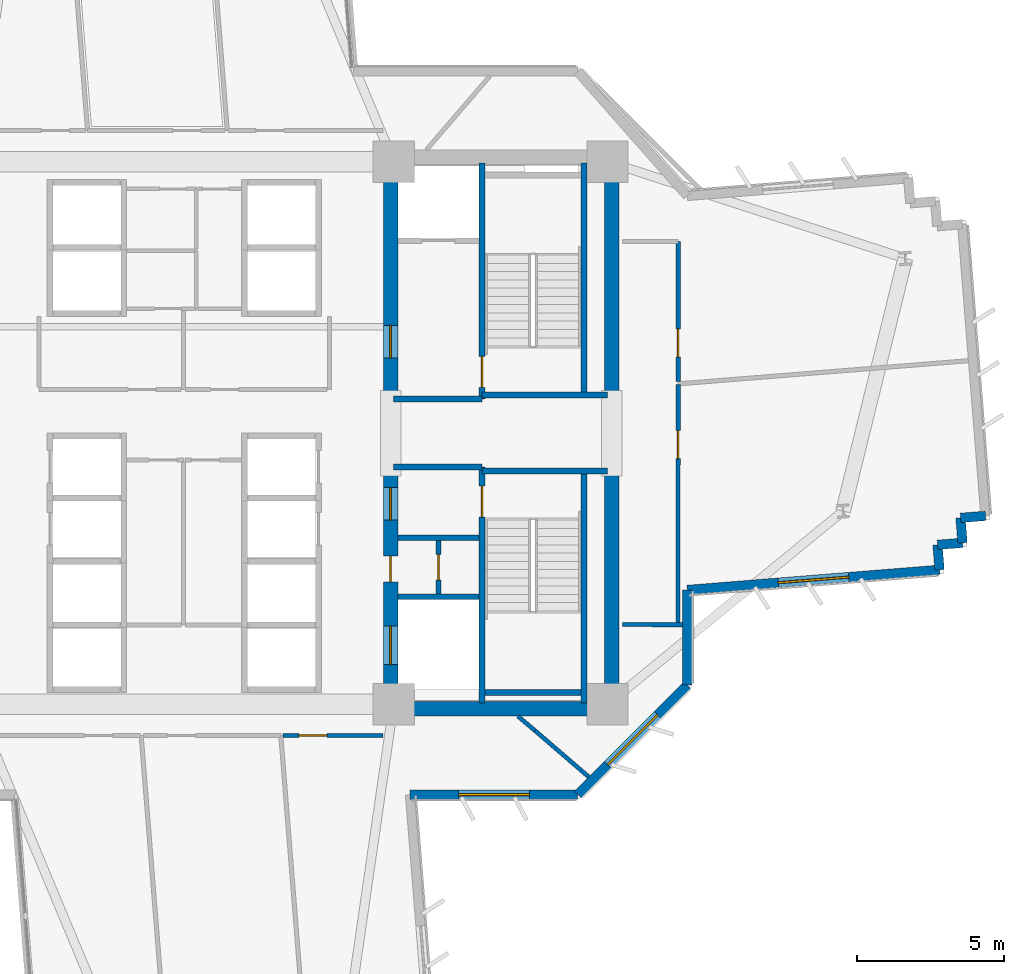
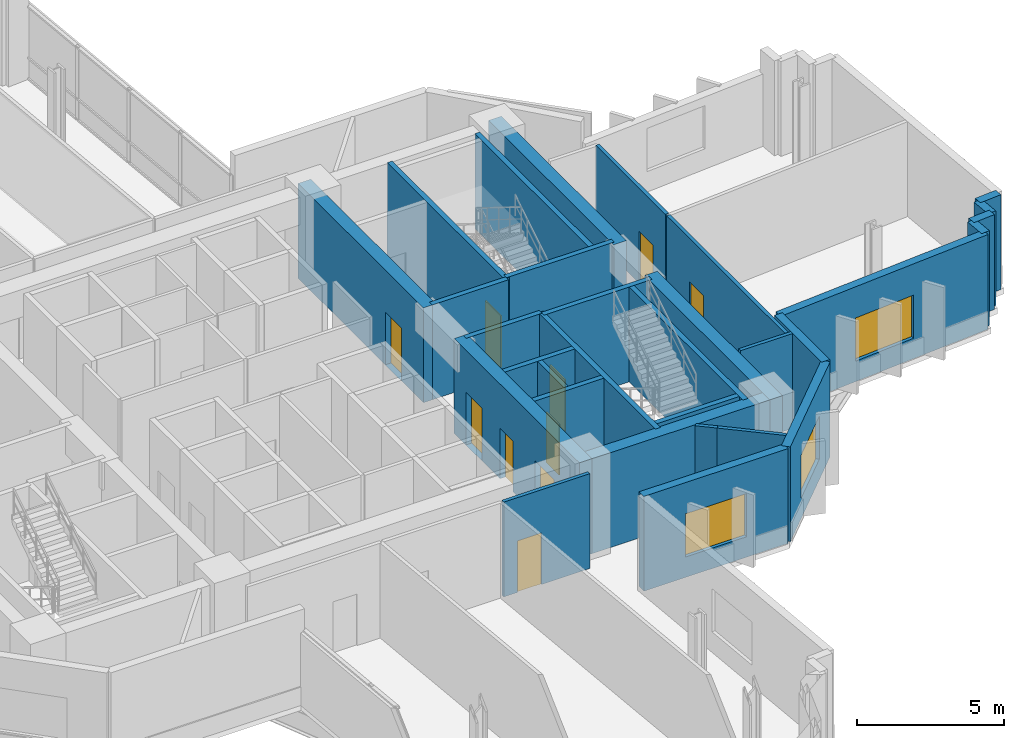
# One storey, part 8 of 15: 31 walls, 10 doors, 3 windows, 13 openings.
"""IFC4 building model written with IfcOpenShell, lengths in metres."""

from ifc_helpers import new_model, si_unit, direction, frame, frame_2d, origin, place, context, subcontext, project, spatial, rectangle, extrude, source, transform, mapped, material, layer, layer_set, type_object, element, fill, save


model = new_model("IFC4")

# Units and contexts
model_context = context("Model", 3, precision=1e-05, world=origin(), true_north=direction((0.0, 1.0)))
body_context = subcontext(model_context, "Body", "Model", "MODEL_VIEW")
ifc_project = project(units=[si_unit("LENGTHUNIT", "METRE"), si_unit("AREAUNIT", "SQUARE_METRE"), si_unit("VOLUMEUNIT", "CUBIC_METRE"), si_unit("PLANEANGLEUNIT", "RADIAN"), si_unit("MASSUNIT", "GRAM", prefix="KILO")], contexts=[model_context])

# Site, building, storey
site_placement = place(None, origin())
site = spatial("IfcSite", under=ifc_project, at=site_placement, CompositionType="ELEMENT")
building_placement = place(site_placement, origin())
building = spatial("IfcBuilding", under=site, at=building_placement, Name="Zahravan Cultural Tower", CompositionType="ELEMENT")
storey_placement = place(building_placement, frame((0.0, 0.0, 83.699951171875)))
storey = spatial("IfcBuildingStorey", under=building, at=storey_placement, Name="L18", CompositionType="ELEMENT", Elevation=83.699951171875)

# Wall, openings, doors
ifc_material_1 = material(Name="Concrete C60/75", Category="concrete")
ifc_layer_1 = layer(ifc_material_1, 0.5)
ifc_layer_set_1 = layer_set([ifc_layer_1], Name="Concrete C60/75")
wall_type_1 = type_object("IfcWallType", Name="CW-SHEAR-500-C60", PredefinedType="SHEAR", material=ifc_layer_set_1)
wall_1_placement = place(storey_placement, frame((43.0, 17.39990234375, 0.0), z_axis=(0.0, 0.0, 1.0), x_axis=(0.0, 1.0, 0.0)))
wall_1 = element("IfcWall", 1, at=wall_1_placement, inside=storey, type_object=wall_type_1, Name="L18 Core Shear Wall CW-E-WS-L18", PredefinedType="SHEAR", context=body_context, shape_type="SweptSolid", body=[
    extrude(rectangle(XDim=8.550048828125, YDim=0.5, at=frame_2d((4.27490234375, 0.0))), origin(), (0.0, 0.0, 1.0), 3.949951171875),
])
opening_1_placement = place(wall_1_placement, frame((6.64990234375, 0.0, 0.0)))
opening_1 = element("IfcOpeningElement", 2, at=opening_1_placement, cuts=wall_1, Name="Opening D-L18-08", PredefinedType="OPENING", context=body_context, shape_type="SweptSolid", body=[
    extrude(rectangle(XDim=1.10009765625, YDim=2.199951171875, at=frame_2d((0.550048828125, 1.10009765625))), frame((0.0, 0.260009765625, 0.0), z_axis=(0.0, -1.0, 0.0), x_axis=(1.0, 0.0, 0.0)), (0.0, 0.0, 1.0), 0.52001953125),
])
opening_2_placement = place(wall_1_placement, frame((1.75, 0.0, 0.0)))
opening_2 = element("IfcOpeningElement", 3, at=opening_2_placement, cuts=wall_1, Name="Opening LD-L18-03", PredefinedType="OPENING", context=body_context, shape_type="SweptSolid", body=[
    extrude(rectangle(XDim=1.300048828125, YDim=2.199951171875, at=frame_2d((0.64990234375, 1.10009765625))), frame((0.0, 0.260009765625, 0.0), z_axis=(0.0, -1.0, 0.0), x_axis=(1.0, 0.0, 0.0)), (0.0, 0.0, 1.0), 0.52001953125),
])
opening_3_placement = place(wall_1_placement, frame((4.550048828125, 0.0, 0.0)))
opening_3 = element("IfcOpeningElement", 4, at=opening_3_placement, cuts=wall_1, Name="Opening D-L18-11", PredefinedType="OPENING", context=body_context, shape_type="SweptSolid", body=[
    extrude(rectangle(XDim=0.8798828125, YDim=2.10009765625, at=frame_2d((0.43994140625, 1.050048828125))), frame((0.0, 0.260009765625, 0.0), z_axis=(0.0, -1.0, 0.0), x_axis=(1.0, 0.0, 0.0)), (0.0, 0.0, 1.0), 0.52001953125),
])
ifc_material_2 = material(Name="Steel ASTM A572 Grade 50", Category="steel")
door_type_1 = type_object("IfcDoorType", Name="DR-LOBBY-1100", OperationType="NOTDEFINED", PredefinedType="DOOR", material=ifc_material_2)
shared_shape_1 = source(origin(), body_context, "Body", "SweptSolid", [
    extrude(rectangle(XDim=1.10009765625, YDim=2.199951171875, at=frame_2d((0.550048828125, 1.10009765625))), frame((0.0, 0.02490234375, 0.0), z_axis=(0.0, -1.0, 0.0), x_axis=(1.0, 0.0, 0.0)), (0.0, 0.0, 1.0), 0.050048828125),
])
door_1_placement = place(opening_1_placement, origin())
door_1 = element("IfcDoor", 5, at=door_1_placement, inside=storey, type_object=door_type_1, Name="L18 Door D-L18-08", OperationType="SINGLE_SWING_LEFT", OverallHeight=2.199951171875, OverallWidth=1.10009765625, PredefinedType="DOOR", context=body_context, shape_type="MappedRepresentation", body=[
    mapped(shared_shape_1, transform((0.0, 0.0, 0.0), x_axis=(1.0, 0.0, 0.0), y_axis=(0.0, 1.0, 0.0), z_axis=(0.0, 0.0, 1.0), scale=1.0)),
])
fill(opening_1, door_1)
door_type_2 = type_object("IfcDoorType", Name="DR-LIFT-1300", OperationType="DOUBLE_DOOR_SLIDING", PredefinedType="DOOR", material=ifc_material_2)
shared_shape_2 = source(origin(), body_context, "Body", "SweptSolid", [
    extrude(rectangle(XDim=1.300048828125, YDim=2.199951171875, at=frame_2d((0.64990234375, 1.10009765625))), frame((0.0, 0.02490234375, 0.0), z_axis=(0.0, -1.0, 0.0), x_axis=(1.0, 0.0, 0.0)), (0.0, 0.0, 1.0), 0.050048828125),
])
door_2_placement = place(opening_2_placement, origin())
door_2 = element("IfcDoor", 6, at=door_2_placement, inside=storey, type_object=door_type_2, Name="L18 Door LD-L18-03", OperationType="DOUBLE_DOOR_SLIDING", OverallHeight=2.199951171875, OverallWidth=1.300048828125, PredefinedType="DOOR", context=body_context, shape_type="MappedRepresentation", body=[
    mapped(shared_shape_2, transform((0.0, 0.0, 0.0), x_axis=(1.0, 0.0, 0.0), y_axis=(0.0, 1.0, 0.0), z_axis=(0.0, 0.0, 1.0), scale=1.0)),
])
fill(opening_2, door_2)
door_type_3 = type_object("IfcDoorType", Name="DR-SVC-880", OperationType="NOTDEFINED", PredefinedType="DOOR", material=ifc_material_2)
shared_shape_3 = source(origin(), body_context, "Body", "SweptSolid", [
    extrude(rectangle(XDim=0.8798828125, YDim=2.10009765625, at=frame_2d((0.43994140625, 1.050048828125))), frame((0.0, 0.02490234375, 0.0), z_axis=(0.0, -1.0, 0.0), x_axis=(1.0, 0.0, 0.0)), (0.0, 0.0, 1.0), 0.050048828125),
])
door_3_placement = place(opening_3_placement, origin())
door_3 = element("IfcDoor", 7, at=door_3_placement, inside=storey, type_object=door_type_3, Name="L18 Door D-L18-11", OperationType="SINGLE_SWING_RIGHT", OverallHeight=2.10009765625, OverallWidth=0.8798828125, PredefinedType="DOOR", context=body_context, shape_type="MappedRepresentation", body=[
    mapped(shared_shape_3, transform((0.0, 0.0, 0.0), x_axis=(1.0, 0.0, 0.0), y_axis=(0.0, 1.0, 0.0), z_axis=(0.0, 0.0, 1.0), scale=1.0)),
])
fill(opening_3, door_3)

# Wall, opening, door
wall_2_placement = place(storey_placement, frame((43.0, 28.050048828125, 0.0), z_axis=(0.0, 0.0, 1.0), x_axis=(0.0, 1.0, 0.0)))
wall_2 = element("IfcWall", 8, at=wall_2_placement, inside=storey, type_object=wall_type_1, Name="L18 Core Shear Wall CW-E-WN-L18", PredefinedType="SHEAR", context=body_context, shape_type="SweptSolid", body=[
    extrude(rectangle(XDim=8.550048828125, YDim=0.5, at=frame_2d((4.27490234375, 0.0))), origin(), (0.0, 0.0, 1.0), 3.949951171875),
])
opening_4_placement = place(wall_2_placement, frame((1.5, 0.0, 0.0)))
opening_4 = element("IfcOpeningElement", 9, at=opening_4_placement, cuts=wall_2, Name="Opening D-L18-06", PredefinedType="OPENING", context=body_context, shape_type="SweptSolid", body=[
    extrude(rectangle(XDim=1.10009765625, YDim=2.199951171875, at=frame_2d((0.550048828125, 1.10009765625))), frame((0.0, 0.260009765625, 0.0), z_axis=(0.0, -1.0, 0.0), x_axis=(1.0, 0.0, 0.0)), (0.0, 0.0, 1.0), 0.52001953125),
])
door_4_placement = place(opening_4_placement, origin())
door_4 = element("IfcDoor", 10, at=door_4_placement, inside=storey, type_object=door_type_1, Name="L18 Door D-L18-06", OperationType="SINGLE_SWING_LEFT", OverallHeight=2.199951171875, OverallWidth=1.10009765625, PredefinedType="DOOR", context=body_context, shape_type="MappedRepresentation", body=[
    mapped(shared_shape_1, transform((0.0, 0.0, 0.0), x_axis=(1.0, 0.0, 0.0), y_axis=(0.0, 1.0, 0.0), z_axis=(0.0, 0.0, 1.0), scale=1.0)),
])
fill(opening_4, door_4)

# Wall, opening, window
ifc_material_3 = material(Name="Precast concrete C40/50", Category="concrete")
ifc_layer_2 = layer(ifc_material_3, 0.320068359375)
ifc_layer_set_2 = layer_set([ifc_layer_2], Name="Precast concrete C40/50")
wall_type_2 = type_object("IfcWallType", Name="EW-TC-320", PredefinedType="SOLIDWALL", material=ifc_layer_set_2)
wall_3_placement = place(storey_placement, frame((61.60986328125, 22.361328125, 0.0), z_axis=(0.0, 0.0, 1.0), x_axis=(-0.996834708052, -0.07950198, 0.0)))
wall_3 = element("IfcWall", 11, at=wall_3_placement, inside=storey, type_object=wall_type_2, Name="L18 Exterior Masonry Frame Wall 11", PredefinedType="SOLIDWALL", context=body_context, shape_type="SweptSolid", body=[
    extrude(rectangle(XDim=8.576904296875, YDim=0.320068359375, at=frame_2d((4.28857421875, 0.0))), origin(), (0.0, 0.0, 1.0), 3.949951171875),
])
opening_5_placement = place(wall_3_placement, frame((3.087890625, 0.0, 0.85009765625)))
opening_5 = element("IfcOpeningElement", 12, at=opening_5_placement, cuts=wall_3, Name="Opening WN-01", PredefinedType="OPENING", context=body_context, shape_type="SweptSolid", body=[
    extrude(rectangle(XDim=2.39990234375, YDim=1.800048828125, at=frame_2d((1.199951171875, 0.89990234375))), frame((0.0, 0.169921875, 0.0), z_axis=(0.0, -1.0, 0.0), x_axis=(1.0, 0.0, 0.0)), (0.0, 0.0, 1.0), 0.340087890625),
])
ifc_material_4 = material(Name="Low-E solar-control double glazing", Category="glass")
window_type = type_object("IfcWindowType", Name="WN-REC-2400X1800", PartitioningType="DOUBLE_PANEL_VERTICAL", PredefinedType="WINDOW", material=ifc_material_4)
shared_shape_4 = source(origin(), body_context, "Body", "SweptSolid", [
    extrude(rectangle(XDim=2.39990234375, YDim=1.800048828125, at=frame_2d((1.199951171875, 0.89990234375))), frame((0.0, 0.030029296875, 0.0), z_axis=(0.0, -1.0, 0.0), x_axis=(1.0, 0.0, 0.0)), (0.0, 0.0, 1.0), 0.06005859375),
])
window_1_placement = place(opening_5_placement, origin())
window_1 = element("IfcWindow", 13, at=window_1_placement, inside=storey, type_object=window_type, Name="L18 Recessed Solar Window 02", OverallHeight=1.800048828125, OverallWidth=2.39990234375, PartitioningType="DOUBLE_PANEL_VERTICAL", PredefinedType="WINDOW", context=body_context, shape_type="MappedRepresentation", body=[
    mapped(shared_shape_4, transform((0.0, 0.0, 0.0), x_axis=(1.0, 0.0, 0.0), y_axis=(0.0, 1.0, 0.0), z_axis=(0.0, 0.0, 1.0), scale=1.0)),
])
fill(opening_5, window_1)

wall_4_placement = place(storey_placement, frame((53.06005859375, 18.4580078125, 0.0), z_axis=(0.0, 0.0, 1.0), x_axis=(-0.707106781187, -0.707106781187, 0.0)))
wall_4 = element("IfcWall", 14, at=wall_4_placement, inside=storey, type_object=wall_type_2, Name="L18 Exterior Masonry Frame Wall 13", PredefinedType="SOLIDWALL", context=body_context, shape_type="SweptSolid", body=[
    extrude(rectangle(XDim=5.258056640625, YDim=0.320068359375, at=frame_2d((2.62890625, 0.0))), origin(), (0.0, 0.0, 1.0), 3.949951171875),
])
opening_6_placement = place(wall_4_placement, frame((1.428955078125, 0.0, 0.85009765625)))
opening_6 = element("IfcOpeningElement", 15, at=opening_6_placement, cuts=wall_4, Name="Opening WN-01", PredefinedType="OPENING", context=body_context, shape_type="SweptSolid", body=[
    extrude(rectangle(XDim=2.39990234375, YDim=1.800048828125, at=frame_2d((1.199951171875, 0.89990234375))), frame((0.0, 0.169921875, 0.0), z_axis=(0.0, -1.0, 0.0), x_axis=(1.0, 0.0, 0.0)), (0.0, 0.0, 1.0), 0.340087890625),
])
window_2_placement = place(opening_6_placement, origin())
window_2 = element("IfcWindow", 16, at=window_2_placement, inside=storey, type_object=window_type, Name="L18 Recessed Solar Window 03", OverallHeight=1.800048828125, OverallWidth=2.39990234375, PartitioningType="DOUBLE_PANEL_VERTICAL", PredefinedType="WINDOW", context=body_context, shape_type="MappedRepresentation", body=[
    mapped(shared_shape_4, transform((0.0, 0.0, 0.0), x_axis=(1.0, 0.0, 0.0), y_axis=(0.0, 1.0, 0.0), z_axis=(0.0, 0.0, 1.0), scale=1.0)),
])
fill(opening_6, window_2)

wall_5_placement = place(storey_placement, frame((49.342041015625, 14.739990234375, 0.0), z_axis=(0.0, 0.0, 1.0), x_axis=(-1.0, 0.0, 0.0)))
wall_5 = element("IfcWall", 17, at=wall_5_placement, inside=storey, type_object=wall_type_2, Name="L18 Exterior Masonry Frame Wall 14", PredefinedType="SOLIDWALL", context=body_context, shape_type="SweptSolid", body=[
    extrude(rectangle(XDim=5.68310546875, YDim=0.320068359375, at=frame_2d((2.841552734375, 0.0))), origin(), (0.0, 0.0, 1.0), 3.949951171875),
])
opening_7_placement = place(wall_5_placement, frame((1.64111328125, 0.0, 0.85009765625)))
opening_7 = element("IfcOpeningElement", 18, at=opening_7_placement, cuts=wall_5, Name="Opening WN-01", PredefinedType="OPENING", context=body_context, shape_type="SweptSolid", body=[
    extrude(rectangle(XDim=2.39990234375, YDim=1.800048828125, at=frame_2d((1.199951171875, 0.89990234375))), frame((0.0, 0.169921875, 0.0), z_axis=(0.0, -1.0, 0.0), x_axis=(1.0, 0.0, 0.0)), (0.0, 0.0, 1.0), 0.340087890625),
])
window_3_placement = place(opening_7_placement, origin())
window_3 = element("IfcWindow", 19, at=window_3_placement, inside=storey, type_object=window_type, Name="L18 Recessed Solar Window 04", OverallHeight=1.800048828125, OverallWidth=2.39990234375, PartitioningType="DOUBLE_PANEL_VERTICAL", PredefinedType="WINDOW", context=body_context, shape_type="MappedRepresentation", body=[
    mapped(shared_shape_4, transform((0.0, 0.0, 0.0), x_axis=(1.0, 0.0, 0.0), y_axis=(0.0, 1.0, 0.0), z_axis=(0.0, 0.0, 1.0), scale=1.0)),
])
fill(opening_7, window_3)

# Wall, opening, door
ifc_material_5 = material(Name="Gypsum plasterboard partition")
ifc_layer_3 = layer(ifc_material_5, 0.179931640625)
ifc_layer_set_3 = layer_set([ifc_layer_3], Name="Gypsum plasterboard partition")
wall_type_3 = type_object("IfcWallType", Name="W-COMP-180", PredefinedType="PARTITIONING", material=ifc_layer_set_3)
wall_6_placement = place(storey_placement, frame((44.6201171875, 21.550048828125, 0.0), z_axis=(0.0, 0.0, 1.0), x_axis=(0.0, 1.0, 0.0)))
wall_6 = element("IfcWall", 20, at=wall_6_placement, inside=storey, type_object=wall_type_3, Name="L18 Interior Wall 027", PredefinedType="PARTITIONING", context=body_context, shape_type="SweptSolid", body=[
    extrude(rectangle(XDim=1.800048828125, YDim=0.179931640625, at=frame_2d((0.89990234375, 0.0))), origin(), (0.0, 0.0, 1.0), 3.949951171875),
])
opening_8_placement = place(wall_6_placement, frame((0.4599609375, 0.0, 0.0)))
opening_8 = element("IfcOpeningElement", 21, at=opening_8_placement, cuts=wall_6, Name="Opening D-L18-12", PredefinedType="OPENING", context=body_context, shape_type="SweptSolid", body=[
    extrude(rectangle(XDim=0.8798828125, YDim=2.10009765625, at=frame_2d((0.43994140625, 1.050048828125))), frame((0.0, 0.099853515625, 0.0), z_axis=(0.0, -1.0, 0.0), x_axis=(1.0, 0.0, 0.0)), (0.0, 0.0, 1.0), 0.199951171875),
])
door_5_placement = place(opening_8_placement, origin())
door_5 = element("IfcDoor", 22, at=door_5_placement, inside=storey, type_object=door_type_3, Name="L18 Door D-L18-12", OperationType="SINGLE_SWING_LEFT", OverallHeight=2.10009765625, OverallWidth=0.8798828125, PredefinedType="DOOR", context=body_context, shape_type="MappedRepresentation", body=[
    mapped(shared_shape_3, transform((0.0, 0.0, 0.0), x_axis=(1.0, 0.0, 0.0), y_axis=(0.0, 1.0, 0.0), z_axis=(0.0, 0.0, 1.0), scale=1.0)),
])
fill(opening_8, door_5)

ifc_layer_4 = layer(ifc_material_5, 0.139892578125)
ifc_layer_set_4 = layer_set([ifc_layer_4], Name="Gypsum plasterboard partition")
wall_type_4 = type_object("IfcWallType", Name="W-PART-140", PredefinedType="PARTITIONING", material=ifc_layer_set_4)
wall_7_placement = place(storey_placement, frame((39.351318359375, 16.739990234375, 0.0), z_axis=(0.0, 0.0, 1.0), x_axis=(0.999999935369, 0.000359531148, 0.0)))
wall_7 = element("IfcWall", 23, at=wall_7_placement, inside=storey, type_object=wall_type_4, Name="L18 Interior Wall 091", PredefinedType="PARTITIONING", context=body_context, shape_type="SweptSolid", body=[
    extrude(rectangle(XDim=3.395263671875, YDim=0.139892578125, at=frame_2d((1.69775390625, 0.0))), origin(), (0.0, 0.0, 1.0), 3.949951171875),
])
opening_9_placement = place(wall_7_placement, frame((0.5380859375, 0.0, 0.0)))
opening_9 = element("IfcOpeningElement", 24, at=opening_9_placement, cuts=wall_7, Name="Opening D-L18-28", PredefinedType="OPENING", context=body_context, shape_type="SweptSolid", body=[
    extrude(rectangle(XDim=0.949951171875, YDim=2.14990234375, at=frame_2d((0.47509765625, 1.074951171875))), frame((0.0, 0.079833984375, 0.0), z_axis=(0.0, -1.0, 0.0), x_axis=(1.0, 0.0, 0.0)), (0.0, 0.0, 1.0), 0.159912109375),
])
ifc_material_6 = material(Name="Anodised bronze-aluminium mullion", Category="aluminium")
door_type_4 = type_object("IfcDoorType", Name="DR-ROOM-950", OperationType="NOTDEFINED", PredefinedType="DOOR", material=ifc_material_6)
shared_shape_5 = source(origin(), body_context, "Body", "SweptSolid", [
    extrude(rectangle(XDim=0.949951171875, YDim=2.14990234375, at=frame_2d((0.47509765625, 1.074951171875))), frame((0.0, 0.02490234375, 0.0), z_axis=(0.0, -1.0, 0.0), x_axis=(1.0, 0.0, 0.0)), (0.0, 0.0, 1.0), 0.050048828125),
])
door_6_placement = place(opening_9_placement, origin())
door_6 = element("IfcDoor", 25, at=door_6_placement, inside=storey, type_object=door_type_4, Name="L18 Door D-L18-28", OperationType="SINGLE_SWING_LEFT", OverallHeight=2.14990234375, OverallWidth=0.949951171875, PredefinedType="DOOR", context=body_context, shape_type="MappedRepresentation", body=[
    mapped(shared_shape_5, transform((0.0, 0.0, 0.0), x_axis=(1.0, 0.0, 0.0), y_axis=(0.0, 1.0, 0.0), z_axis=(0.0, 0.0, 1.0), scale=1.0)),
])
fill(opening_9, door_6)

wall_8_placement = place(storey_placement, frame((52.75, 28.7421875, 0.0), z_axis=(0.0, 0.0, 1.0), x_axis=(-0.000102701037, 0.999999994726, 0.0)))
wall_8 = element("IfcWall", 26, at=wall_8_placement, inside=storey, type_object=wall_type_4, Name="L18 Interior Wall 104", PredefinedType="PARTITIONING", context=body_context, shape_type="SweptSolid", body=[
    extrude(rectangle(XDim=4.75439453125, YDim=0.139892578125, at=frame_2d((2.377197265625, 0.0))), origin(), (0.0, 0.0, 1.0), 3.949951171875),
])
opening_10_placement = place(wall_8_placement, frame((0.8369140625, 0.0, 0.0)))
opening_10 = element("IfcOpeningElement", 27, at=opening_10_placement, cuts=wall_8, Name="Opening D-L18-20", PredefinedType="OPENING", context=body_context, shape_type="SweptSolid", body=[
    extrude(rectangle(XDim=0.949951171875, YDim=2.14990234375, at=frame_2d((0.47509765625, 1.074951171875))), frame((0.0, 0.079833984375, 0.0), z_axis=(0.0, -1.0, 0.0), x_axis=(1.0, 0.0, 0.0)), (0.0, 0.0, 1.0), 0.159912109375),
])
door_7_placement = place(opening_10_placement, origin())
door_7 = element("IfcDoor", 28, at=door_7_placement, inside=storey, type_object=door_type_4, Name="L18 Door D-L18-20", OperationType="SINGLE_SWING_LEFT", OverallHeight=2.14990234375, OverallWidth=0.949951171875, PredefinedType="DOOR", context=body_context, shape_type="MappedRepresentation", body=[
    mapped(shared_shape_5, transform((0.0, 0.0, 0.0), x_axis=(1.0, 0.0, 0.0), y_axis=(0.0, 1.0, 0.0), z_axis=(0.0, 0.0, 1.0), scale=1.0)),
])
fill(opening_10, door_7)

wall_9_placement = place(storey_placement, frame((52.7451171875, 20.576171875, 0.0), z_axis=(0.0, 0.0, 1.0), x_axis=(0.000604997167, 0.999999816989, 0.0)))
wall_9 = element("IfcWall", 29, at=wall_9_placement, inside=storey, type_object=wall_type_4, Name="L18 Interior Wall 113", PredefinedType="PARTITIONING", context=body_context, shape_type="SweptSolid", body=[
    extrude(rectangle(XDim=8.07080078125, YDim=0.139892578125, at=frame_2d((4.035400390625, 0.0))), origin(), (0.0, 0.0, 1.0), 3.949951171875),
])
opening_11_placement = place(wall_9_placement, frame((5.55419921875, 0.0, 0.0)))
opening_11 = element("IfcOpeningElement", 30, at=opening_11_placement, cuts=wall_9, Name="Opening D-L18-19", PredefinedType="OPENING", context=body_context, shape_type="SweptSolid", body=[
    extrude(rectangle(XDim=0.949951171875, YDim=2.14990234375, at=frame_2d((0.47509765625, 1.074951171875))), frame((0.0, 0.079833984375, 0.0), z_axis=(0.0, -1.0, 0.0), x_axis=(1.0, 0.0, 0.0)), (0.0, 0.0, 1.0), 0.159912109375),
])
door_8_placement = place(opening_11_placement, origin())
door_8 = element("IfcDoor", 31, at=door_8_placement, inside=storey, type_object=door_type_4, Name="L18 Door D-L18-19", OperationType="SINGLE_SWING_RIGHT", OverallHeight=2.14990234375, OverallWidth=0.949951171875, PredefinedType="DOOR", context=body_context, shape_type="MappedRepresentation", body=[
    mapped(shared_shape_5, transform((0.0, 0.0, 0.0), x_axis=(1.0, 0.0, 0.0), y_axis=(0.0, 1.0, 0.0), z_axis=(0.0, 0.0, 1.0), scale=1.0)),
])
fill(opening_11, door_8)

ifc_material_7 = material(Name="Concrete C45/55", Category="concrete")
ifc_layer_5 = layer(ifc_material_7, 0.199951171875)
ifc_layer_set_5 = layer_set([ifc_layer_5], Name="Concrete C45/55")
wall_type_5 = type_object("IfcWallType", Name="W-SHAFT-200", PredefinedType="SOLIDWALL", material=ifc_layer_set_5)
wall_10_placement = place(storey_placement, frame((46.10009765625, 17.85009765625, 0.0), z_axis=(0.0, 0.0, 1.0), x_axis=(0.0, 1.0, 0.0)))
wall_10 = element("IfcWall", 32, at=wall_10_placement, inside=storey, type_object=wall_type_5, Name="L18 Interior Wall 007", PredefinedType="SOLIDWALL", context=body_context, shape_type="SweptSolid", body=[
    extrude(rectangle(XDim=8.0, YDim=0.199951171875, at=frame_2d((4.0, 0.0))), origin(), (0.0, 0.0, 1.0), 3.949951171875),
])
opening_12_placement = place(wall_10_placement, frame((6.300048828125, 0.0, 0.0)))
opening_12 = element("IfcOpeningElement", 33, at=opening_12_placement, cuts=wall_10, Name="Opening D-L18-03", PredefinedType="OPENING", context=body_context, shape_type="SweptSolid", body=[
    extrude(rectangle(XDim=1.050048828125, YDim=2.14990234375, at=frame_2d((0.52490234375, 1.074951171875))), frame((0.0, 0.10986328125, 0.0), z_axis=(0.0, -1.0, 0.0), x_axis=(1.0, 0.0, 0.0)), (0.0, 0.0, 1.0), 0.219970703125),
])
door_type_5 = type_object("IfcDoorType", Name="DR-STAIR-1050", OperationType="NOTDEFINED", PredefinedType="DOOR", material=ifc_material_2)
shared_shape_6 = source(origin(), body_context, "Body", "SweptSolid", [
    extrude(rectangle(XDim=1.050048828125, YDim=2.14990234375, at=frame_2d((0.52490234375, 1.074951171875))), frame((0.0, 0.02490234375, 0.0), z_axis=(0.0, -1.0, 0.0), x_axis=(1.0, 0.0, 0.0)), (0.0, 0.0, 1.0), 0.050048828125),
])
door_9_placement = place(opening_12_placement, origin())
door_9 = element("IfcDoor", 34, at=door_9_placement, inside=storey, type_object=door_type_5, Name="L18 Door D-L18-03", OperationType="SINGLE_SWING_RIGHT", OverallHeight=2.14990234375, OverallWidth=1.050048828125, PredefinedType="DOOR", context=body_context, shape_type="MappedRepresentation", body=[
    mapped(shared_shape_6, transform((0.0, 0.0, 0.0), x_axis=(1.0, 0.0, 0.0), y_axis=(0.0, 1.0, 0.0), z_axis=(0.0, 0.0, 1.0), scale=1.0)),
])
fill(opening_12, door_9)

wall_11_placement = place(storey_placement, frame((46.10009765625, 28.14990234375, 0.0), z_axis=(0.0, 0.0, 1.0), x_axis=(0.0, 1.0, 0.0)))
wall_11 = element("IfcWall", 35, at=wall_11_placement, inside=storey, type_object=wall_type_5, Name="L18 Interior Wall 008", PredefinedType="SOLIDWALL", context=body_context, shape_type="SweptSolid", body=[
    extrude(rectangle(XDim=8.0, YDim=0.199951171875, at=frame_2d((4.0, 0.0))), origin(), (0.0, 0.0, 1.0), 3.949951171875),
])
opening_13_placement = place(wall_11_placement, frame((0.39990234375, 0.0, 0.0)))
opening_13 = element("IfcOpeningElement", 36, at=opening_13_placement, cuts=wall_11, Name="Opening D-L18-02", PredefinedType="OPENING", context=body_context, shape_type="SweptSolid", body=[
    extrude(rectangle(XDim=1.050048828125, YDim=2.14990234375, at=frame_2d((0.52490234375, 1.074951171875))), frame((0.0, 0.10986328125, 0.0), z_axis=(0.0, -1.0, 0.0), x_axis=(1.0, 0.0, 0.0)), (0.0, 0.0, 1.0), 0.219970703125),
])
door_10_placement = place(opening_13_placement, origin())
door_10 = element("IfcDoor", 37, at=door_10_placement, inside=storey, type_object=door_type_5, Name="L18 Door D-L18-02", OperationType="SINGLE_SWING_LEFT", OverallHeight=2.14990234375, OverallWidth=1.050048828125, PredefinedType="DOOR", context=body_context, shape_type="MappedRepresentation", body=[
    mapped(shared_shape_6, transform((0.0, 0.0, 0.0), x_axis=(1.0, 0.0, 0.0), y_axis=(0.0, 1.0, 0.0), z_axis=(0.0, 0.0, 1.0), scale=1.0)),
])
fill(opening_13, door_10)

# Walls
shared_shape_7 = source(origin(), body_context, "Body", "SweptSolid", [
    extrude(rectangle(XDim=8.550048828125, YDim=0.5, at=frame_2d((4.27490234375, 0.0))), origin(), (0.0, 0.0, 1.0), 3.949951171875),
])
for number, where, z_axis, x_axis, name in (
    (38, (50.5, 17.39990234375, 0.0), (0.0, 0.0, 1.0), (0.0, 1.0, 0.0), "L18 Core Shear Wall CW-E-ES-L18"),
    (39, (50.5, 28.050048828125, 0.0), (0.0, 0.0, 1.0), (0.0, 1.0, 0.0), "L18 Core Shear Wall CW-E-EN-L18"),
):
    element("IfcWall", number, at=place(storey_placement, frame(where, z_axis=z_axis, x_axis=x_axis)), inside=storey, type_object=wall_type_1, Name=name, PredefinedType="SHEAR", context=body_context, shape_type="MappedRepresentation", body=[
        mapped(shared_shape_7, transform((0.0, 0.0, 0.0), x_axis=(1.0, 0.0, 0.0), y_axis=(0.0, 1.0, 0.0), z_axis=(0.0, 0.0, 1.0), scale=1.0)),
    ])
shared_shape_8 = source(origin(), body_context, "Body", "SweptSolid", [
    extrude(rectangle(XDim=7.0, YDim=0.5, at=frame_2d((3.5, 0.0))), origin(), (0.0, 0.0, 1.0), 3.949951171875),
])
wall_12_placement = place(storey_placement, frame((43.25, 17.64990234375, 0.0), z_axis=(0.0, 0.0, 1.0), x_axis=(1.0, 0.0, 0.0)))
element("IfcWall", 40, at=wall_12_placement, inside=storey, type_object=wall_type_1, Name="L18 Core Shear Wall CW-E-S-L18", PredefinedType="SHEAR", context=body_context, shape_type="MappedRepresentation", body=[
    mapped(shared_shape_8, transform((0.0, 0.0, 0.0), x_axis=(1.0, 0.0, 0.0), y_axis=(0.0, 1.0, 0.0), z_axis=(0.0, 0.0, 1.0), scale=1.0)),
])
shared_shape_9 = source(origin(), body_context, "Body", "SweptSolid", [
    extrude(rectangle(XDim=0.849853515625, YDim=0.320068359375, at=frame_2d((0.4248046875, 0.0))), origin(), (0.0, 0.0, 1.0), 3.949951171875),
])
wall_13_placement = place(storey_placement, frame((63.169189453125, 24.191162109375, 0.0), z_axis=(0.0, 0.0, 1.0), x_axis=(-0.996828965123, -0.079573954853, 0.0)))
element("IfcWall", 41, at=wall_13_placement, inside=storey, type_object=wall_type_2, Name="L18 Exterior Masonry Frame Wall 07", PredefinedType="SOLIDWALL", context=body_context, shape_type="MappedRepresentation", body=[
    mapped(shared_shape_9, transform((0.0, 0.0, 0.0), x_axis=(1.0, 0.0, 0.0), y_axis=(0.0, 1.0, 0.0), z_axis=(0.0, 0.0, 1.0), scale=1.0)),
])
shared_shape_10 = source(origin(), body_context, "Body", "SweptSolid", [
    extrude(rectangle(XDim=0.85009765625, YDim=0.320068359375, at=frame_2d((0.425048828125, 0.0))), origin(), (0.0, 0.0, 1.0), 3.949951171875),
])
for number, where, z_axis, x_axis, name in (
    (42, (62.322021484375, 24.12353515625, 0.0), (0.0, 0.0, 1.0), (0.079551174585, -0.996830783344, 0.0), "L18 Exterior Masonry Frame Wall 08"),
    (43, (62.3896484375, 23.276123046875, 0.0), (0.0, 0.0, 1.0), (-0.99685351678, -0.079265793901, 0.0), "L18 Exterior Masonry Frame Wall 09"),
    (44, (61.542236328125, 23.208740234375, 0.0), (0.0, 0.0, 1.0), (0.079551174585, -0.996830783344, 0.0), "L18 Exterior Masonry Frame Wall 10"),
):
    element("IfcWall", number, at=place(storey_placement, frame(where, z_axis=z_axis, x_axis=x_axis)), inside=storey, type_object=wall_type_2, Name=name, PredefinedType="SOLIDWALL", context=body_context, shape_type="MappedRepresentation", body=[
        mapped(shared_shape_10, transform((0.0, 0.0, 0.0), x_axis=(1.0, 0.0, 0.0), y_axis=(0.0, 1.0, 0.0), z_axis=(0.0, 0.0, 1.0), scale=1.0)),
    ])
shared_shape_11 = source(origin(), body_context, "Body", "SweptSolid", [
    extrude(rectangle(XDim=3.221435546875, YDim=0.320068359375, at=frame_2d((1.61083984375, 0.0))), origin(), (0.0, 0.0, 1.0), 3.949951171875),
])
wall_14_placement = place(storey_placement, frame((53.06005859375, 21.679443359375, 0.0), z_axis=(0.0, 0.0, 1.0), x_axis=(0.0, -1.0, 0.0)))
element("IfcWall", 45, at=wall_14_placement, inside=storey, type_object=wall_type_2, Name="L18 Exterior Masonry Frame Wall 12", PredefinedType="SOLIDWALL", context=body_context, shape_type="MappedRepresentation", body=[
    mapped(shared_shape_11, transform((0.0, 0.0, 0.0), x_axis=(1.0, 0.0, 0.0), y_axis=(0.0, 1.0, 0.0), z_axis=(0.0, 0.0, 1.0), scale=1.0)),
])
shared_shape_12 = source(origin(), body_context, "Body", "SweptSolid", [
    extrude(rectangle(XDim=7.869873046875, YDim=0.199951171875, at=frame_2d((3.93505859375, 0.0))), origin(), (0.0, 0.0, 1.0), 3.949951171875),
])
for number, where, z_axis, x_axis, name in (
    (46, (49.550048828125, 17.85009765625, 0.0), (0.0, 0.0, 1.0), (0.0, 1.0, 0.0), "L18 Interior Wall 003"),
    (47, (49.550048828125, 28.280029296875, 0.0), (0.0, 0.0, 1.0), (0.0, 1.0, 0.0), "L18 Interior Wall 004"),
):
    element("IfcWall", number, at=place(storey_placement, frame(where, z_axis=z_axis, x_axis=x_axis)), inside=storey, type_object=wall_type_5, Name=name, PredefinedType="SOLIDWALL", context=body_context, shape_type="MappedRepresentation", body=[
        mapped(shared_shape_12, transform((0.0, 0.0, 0.0), x_axis=(1.0, 0.0, 0.0), y_axis=(0.0, 1.0, 0.0), z_axis=(0.0, 0.0, 1.0), scale=1.0)),
    ])
shared_shape_13 = source(origin(), body_context, "Body", "SweptSolid", [
    extrude(rectangle(XDim=4.25, YDim=0.199951171875, at=frame_2d((2.125, 0.0))), origin(), (0.0, 0.0, 1.0), 3.949951171875),
])
for number, where, z_axis, x_axis, name in (
    (48, (46.10009765625, 25.715087890625, 0.0), (0.0, 0.0, 1.0), (1.0, 0.0, 0.0), "L18 Interior Wall 014"),
    (49, (46.10009765625, 28.284912109375, 0.0), (0.0, 0.0, 1.0), (1.0, 0.0, 0.0), "L18 Interior Wall 016"),
):
    element("IfcWall", number, at=place(storey_placement, frame(where, z_axis=z_axis, x_axis=x_axis)), inside=storey, type_object=wall_type_5, Name=name, PredefinedType="SOLIDWALL", context=body_context, shape_type="MappedRepresentation", body=[
        mapped(shared_shape_13, transform((0.0, 0.0, 0.0), x_axis=(1.0, 0.0, 0.0), y_axis=(0.0, 1.0, 0.0), z_axis=(0.0, 0.0, 1.0), scale=1.0)),
    ])
shared_shape_14 = source(origin(), body_context, "Body", "SweptSolid", [
    extrude(rectangle(XDim=3.0, YDim=0.199951171875, at=frame_2d((1.5, 0.0))), origin(), (0.0, 0.0, 1.0), 3.949951171875),
])
for number, where, z_axis, x_axis, name in (
    (50, (43.10009765625, 25.85009765625, 0.0), (0.0, 0.0, 1.0), (1.0, 0.0, 0.0), "L18 Interior Wall 013"),
    (51, (43.10009765625, 28.14990234375, 0.0), (0.0, 0.0, 1.0), (1.0, 0.0, 0.0), "L18 Interior Wall 015"),
):
    element("IfcWall", number, at=place(storey_placement, frame(where, z_axis=z_axis, x_axis=x_axis)), inside=storey, type_object=wall_type_5, Name=name, PredefinedType="SOLIDWALL", context=body_context, shape_type="MappedRepresentation", body=[
        mapped(shared_shape_14, transform((0.0, 0.0, 0.0), x_axis=(1.0, 0.0, 0.0), y_axis=(0.0, 1.0, 0.0), z_axis=(0.0, 0.0, 1.0), scale=1.0)),
    ])
shared_shape_15 = source(origin(), body_context, "Body", "SweptSolid", [
    extrude(rectangle(XDim=3.25, YDim=0.199951171875, at=frame_2d((1.625, 0.0))), origin(), (0.0, 0.0, 1.0), 3.949951171875),
])
wall_15_placement = place(storey_placement, frame((46.199951171875, 18.199951171875, 0.0), z_axis=(0.0, 0.0, 1.0), x_axis=(1.0, 0.0, 0.0)))
element("IfcWall", 52, at=wall_15_placement, inside=storey, type_object=wall_type_5, Name="L18 Interior Wall 020", PredefinedType="SOLIDWALL", context=body_context, shape_type="MappedRepresentation", body=[
    mapped(shared_shape_15, transform((0.0, 0.0, 0.0), x_axis=(1.0, 0.0, 0.0), y_axis=(0.0, 1.0, 0.0), z_axis=(0.0, 0.0, 1.0), scale=1.0)),
])
shared_shape_16 = source(origin(), body_context, "Body", "SweptSolid", [
    extrude(rectangle(XDim=2.75, YDim=0.199951171875, at=frame_2d((1.375, 0.0))), origin(), (0.0, 0.0, 1.0), 3.949951171875),
])
for number, where, z_axis, x_axis, name in (
    (53, (43.25, 23.449951171875, 0.0), (0.0, 0.0, 1.0), (1.0, 0.0, 0.0), "L18 Interior Wall 024"),
    (54, (43.25, 21.449951171875, 0.0), (0.0, 0.0, 1.0), (1.0, 0.0, 0.0), "L18 Interior Wall 025"),
):
    element("IfcWall", number, at=place(storey_placement, frame(where, z_axis=z_axis, x_axis=x_axis)), inside=storey, type_object=wall_type_5, Name=name, PredefinedType="SOLIDWALL", context=body_context, shape_type="MappedRepresentation", body=[
        mapped(shared_shape_16, transform((0.0, 0.0, 0.0), x_axis=(1.0, 0.0, 0.0), y_axis=(0.0, 1.0, 0.0), z_axis=(0.0, 0.0, 1.0), scale=1.0)),
    ])
shared_shape_17 = source(origin(), body_context, "Body", "SweptSolid", [
    extrude(rectangle(XDim=2.04736328125, YDim=0.139892578125, at=frame_2d((1.023681640625, 0.0))), origin(), (0.0, 0.0, 1.0), 3.949951171875),
])
wall_16_placement = place(storey_placement, frame((50.8525390625, 20.50244140625, 0.0), z_axis=(0.0, 0.0, 1.0), x_axis=(0.999999822254, -0.000596231709, 0.0)))
element("IfcWall", 55, at=wall_16_placement, inside=storey, type_object=wall_type_4, Name="L18 Interior Wall 112", PredefinedType="PARTITIONING", context=body_context, shape_type="MappedRepresentation", body=[
    mapped(shared_shape_17, transform((0.0, 0.0, 0.0), x_axis=(1.0, 0.0, 0.0), y_axis=(0.0, 1.0, 0.0), z_axis=(0.0, 0.0, 1.0), scale=1.0)),
])
shared_shape_18 = source(origin(), body_context, "Body", "SweptSolid", [
    extrude(rectangle(XDim=0.7607421875, YDim=0.139892578125, at=frame_2d((0.38037109375, 0.0))), origin(), (0.0, 0.0, 1.0), 3.949951171875),
])
wall_17_placement = place(storey_placement, frame((47.318359375, 17.39501953125, 0.0), z_axis=(0.0, 0.0, 1.0), x_axis=(0.764128340752, -0.645064243978, 0.0)))
element("IfcWall", 56, at=wall_17_placement, inside=storey, type_object=wall_type_4, Name="L18 Interior Wall 092", PredefinedType="PARTITIONING", context=body_context, shape_type="MappedRepresentation", body=[
    mapped(shared_shape_18, transform((0.0, 0.0, 0.0), x_axis=(1.0, 0.0, 0.0), y_axis=(0.0, 1.0, 0.0), z_axis=(0.0, 0.0, 1.0), scale=1.0)),
])
shared_shape_19 = source(origin(), body_context, "Body", "SweptSolid", [
    extrude(rectangle(XDim=2.39208984375, YDim=0.139892578125, at=frame_2d((1.196044921875, 0.0))), origin(), (0.0, 0.0, 1.0), 3.949951171875),
])
wall_18_placement = place(storey_placement, frame((47.899658203125, 16.904296875, 0.0), z_axis=(0.0, 0.0, 1.0), x_axis=(0.758044905356, -0.652202362357, 0.0)))
element("IfcWall", 57, at=wall_18_placement, inside=storey, type_object=wall_type_4, Name="L18 Interior Wall 093", PredefinedType="PARTITIONING", context=body_context, shape_type="MappedRepresentation", body=[
    mapped(shared_shape_19, transform((0.0, 0.0, 0.0), x_axis=(1.0, 0.0, 0.0), y_axis=(0.0, 1.0, 0.0), z_axis=(0.0, 0.0, 1.0), scale=1.0)),
])

save(model, "model.ifc")
